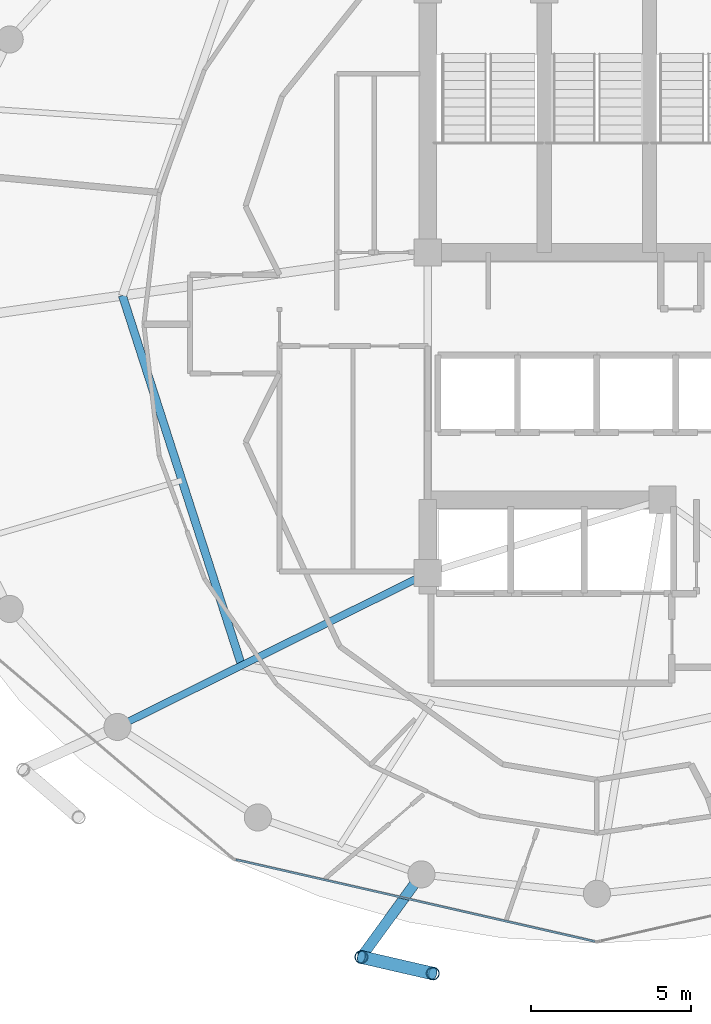
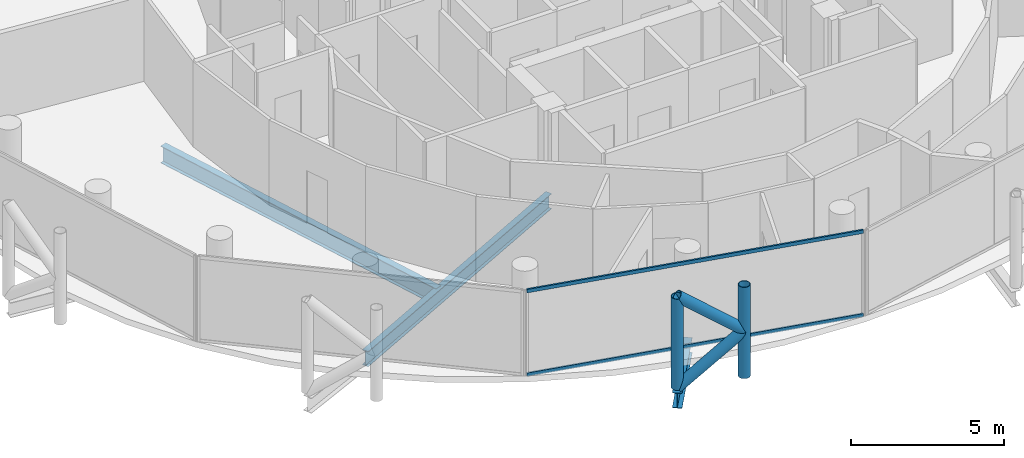
# One storey, part 4 of 27: 6 members, 3 beams, 1 element without a shape of its own.
"""IFC4 building model written with IfcOpenShell, lengths in metres."""

from ifc_helpers import new_model, si_unit, direction, frame, origin, origin_2d, place, context, subcontext, project, spatial, hollow_rectangle, hollow_circle, i_section, extrude, material, layer, layer_set, material_profile, profile_set, type_object, element, aggregate, save


model = new_model("IFC4")

# Units and contexts
model_context = context("Model", 3, precision=1e-05, world=origin(), true_north=direction((0.0, 1.0)))
body_context = subcontext(model_context, "Body", "Model", "MODEL_VIEW")
ifc_project = project(units=[si_unit("LENGTHUNIT", "METRE"), si_unit("AREAUNIT", "SQUARE_METRE"), si_unit("VOLUMEUNIT", "CUBIC_METRE"), si_unit("PLANEANGLEUNIT", "RADIAN"), si_unit("MASSUNIT", "GRAM", prefix="KILO")], contexts=[model_context])

# Site, building, storey
site_placement = place(None, origin())
site = spatial("IfcSite", under=ifc_project, at=site_placement, CompositionType="ELEMENT")
building_placement = place(site_placement, origin())
building = spatial("IfcBuilding", under=site, at=building_placement, Name="Nuhasar Tower", CompositionType="ELEMENT")
storey_placement = place(building_placement, frame((0.0, 0.0, 248.300048828125)))
storey = spatial("IfcBuildingStorey", under=building, at=storey_placement, Name="L61", CompositionType="ELEMENT", Elevation=248.300048828125)

# Beams
ifc_material_1 = material(Name="Steel S355", Category="steel")
ifc_material_profile_1 = material_profile(ifc_material_1, i_section(OverallWidth=0.25390625, OverallDepth=0.68408203125, WebThickness=0.012451171875, FlangeThickness=0.018798828125, at=origin_2d()), Name="W27X94")
ifc_profile_set_1 = profile_set([ifc_material_profile_1], Name="Steel S355")
beam_type_1 = type_object("IfcBeamType", Name="BM-INRING-W27X94", PredefinedType="BEAM", material=ifc_profile_set_1)
beam_1_placement = place(storey_placement, frame((24.1298828125, 27.699951171875, -0.58203125), z_axis=(0.306589852134, -0.951841721385, 0.0), x_axis=(0.951841721385, 0.306589852134, 0.0)))
element("IfcBeam", 1, at=beam_1_placement, inside=storey, type_object=beam_type_1, Name="L61 Inner Header Beam 08", PredefinedType="BEAM", context=body_context, shape_type="SweptSolid", body=[
    extrude(i_section(OverallWidth=0.25390625, OverallDepth=0.68408203125, WebThickness=0.012451171875, FlangeThickness=0.018798828125, at=origin_2d()), origin(), (0.0, 0.0, 1.0), 12.179443359375),
])
ifc_material_profile_2 = material_profile(ifc_material_1, i_section(OverallWidth=0.22900390625, OverallDepth=0.612060546875, WebThickness=0.011962890625, FlangeThickness=0.01953125, at=origin_2d()), Name="W24X84")
ifc_profile_set_2 = profile_set([ifc_material_profile_2], Name="Steel S355")
beam_type_2 = type_object("IfcBeamType", Name="BM-RAD-W24X84", PredefinedType="BEAM", material=ifc_profile_set_2)
beam_2_placement = place(storey_placement, frame((33.699951171875, 19.0, -0.546142578125), z_axis=(-0.895928935233, -0.444197414459, 0.0), x_axis=(0.444197414459, -0.895928935233, 0.0)))
element("IfcBeam", 2, at=beam_2_placement, inside=storey, type_object=beam_type_2, Name="L61 Radial Floor Girder 01", PredefinedType="BEAM", context=body_context, shape_type="SweptSolid", body=[
    extrude(i_section(OverallWidth=0.22900390625, OverallDepth=0.612060546875, WebThickness=0.011962890625, FlangeThickness=0.01953125, at=origin_2d()), origin(), (0.0, 0.0, 1.0), 10.85546875),
])
ifc_material_profile_3 = material_profile(ifc_material_1, i_section(OverallWidth=0.323974609375, OverallDepth=0.611083984375, WebThickness=0.0126953125, FlangeThickness=0.01904296875, at=origin_2d()), Name="W24X104")
ifc_profile_set_3 = profile_set([ifc_material_profile_3], Name="Steel S355")
beam_type_3 = type_object("IfcBeamType", Name="BM-TIE-W24X104", PredefinedType="BEAM", material=ifc_profile_set_3)
beam_3_placement = place(storey_placement, frame((33.5, 9.55810546875, -0.545166015625), z_axis=(-0.588094663461, -0.808792103577, 0.0), x_axis=(0.808792103577, -0.588094663461, 0.0)))
element("IfcBeam", 3, at=beam_3_placement, inside=storey, type_object=beam_type_3, Name="L61 Exoskeleton Node Tie Beam 09", PredefinedType="BEAM", context=body_context, shape_type="SweptSolid", body=[
    extrude(i_section(OverallWidth=0.323974609375, OverallDepth=0.611083984375, WebThickness=0.0126953125, FlangeThickness=0.01904296875, at=origin_2d()), origin(), (0.0, 0.0, 1.0), 3.20361328125),
])

# Curtain wall, members
ifc_material_2 = material(Name="Aluminium 6063-T6", Category="aluminium")
ifc_layer = layer(ifc_material_2, 0.18994140625)
ifc_layer_set = layer_set([ifc_layer], Name="Aluminium 6063-T6")
curtain_wall_type = type_object("IfcCurtainWallType", Name="CW-Z3-RES", PredefinedType="NOTDEFINED", material=ifc_layer_set)
curtain_wall_placement = place(storey_placement, origin())
curtain_wall = element("IfcCurtainWall", 4, at=curtain_wall_placement, inside=storey, type_object=curtain_wall_type, Name="L61 Unitised Curtain Wall 09", PredefinedType="NOTDEFINED")
ifc_material_profile_4 = material_profile(ifc_material_2, hollow_rectangle(XDim=0.06494140625, YDim=0.139892578125, WallThickness=0.00439453125, at=origin_2d()), Name="CWT-4")
ifc_profile_set_4 = profile_set([ifc_material_profile_4], Name="Aluminium 6063-T6")
member_type_1 = type_object("IfcMemberType", Name="CW-TRN-S4", PredefinedType="USERDEFINED", material=ifc_profile_set_4)
member_1_placement = place(storey_placement, frame((27.683349609375, 10.01953125, 0.032470703125), z_axis=(0.974989487479, -0.222250982686, 0.0), x_axis=(0.222250982686, 0.974989487479, 0.0)))
member_1 = element("IfcMember", 5, at=member_1_placement, type_object=member_type_1, Name="CW-Z3 transom 1.1", ObjectType="TRANSOM", PredefinedType="USERDEFINED", context=body_context, shape_type="SweptSolid", body=[
    extrude(hollow_rectangle(XDim=0.06494140625, YDim=0.139892578125, WallThickness=0.00439453125, at=origin_2d()), origin(), (0.0, 0.0, 1.0), 11.541748046875),
])
member_2_placement = place(storey_placement, frame((27.683349609375, 10.01953125, 3.37744140625), z_axis=(0.974989487479, -0.222250982686, 0.0), x_axis=(0.222250982686, 0.974989487479, 0.0)))
member_2 = element("IfcMember", 6, at=member_2_placement, type_object=member_type_1, Name="CW-Z3 transom 1.2", ObjectType="TRANSOM", PredefinedType="USERDEFINED", context=body_context, shape_type="SweptSolid", body=[
    extrude(hollow_rectangle(XDim=0.06494140625, YDim=0.139892578125, WallThickness=0.00439453125, at=origin_2d()), origin(), (0.0, 0.0, 1.0), 11.541748046875),
])
aggregate(curtain_wall, [member_1, member_2])

# Members
ifc_material_3 = material(Name="Steel S460", Category="steel")
ifc_material_profile_5 = material_profile(ifc_material_3, hollow_circle(Radius=0.203125, WallThickness=0.01904296875, at=origin_2d()), Name="HSS406.4X19.1")
ifc_profile_set_5 = profile_set([ifc_material_profile_5], Name="Steel S460")
member_type_2 = type_object("IfcMemberType", Name="EXO-BRONZE-406", PredefinedType="BRACE", material=ifc_profile_set_5)
for number, where, z_axis, x_axis, name in (
    (7, (31.615966796875, 6.967041015625, 0.0), (0.0, 0.0, 1.0), (1.0, 0.0, 0.0), "L61 Exoskeleton Chord Column EC-09A"),
    (8, (33.85693359375, 6.450927734375, 0.0), (0.0, 0.0, 1.0), (1.0, 0.0, 0.0), "L61 Exoskeleton Chord Column EC-09B"),
):
    element("IfcMember", number, at=place(storey_placement, frame(where, z_axis=z_axis, x_axis=x_axis)), inside=storey, type_object=member_type_2, Name=name, PredefinedType="BRACE", context=body_context, shape_type="SweptSolid", body=[
        extrude(hollow_circle(Radius=0.203125, WallThickness=0.01904296875, at=origin_2d()), origin(), (0.0, 0.0, 1.0), 3.64990234375),
    ])
for number, where, z_axis, x_axis, name in (
    (9, (31.615966796875, 6.967041015625, 0.0), (0.76333158458, -0.175801609086, 0.621625841021), (0.224433035437, 0.97448951385, 0.0), "L61 Bronze Diagrid Brace W1-09"),
    (10, (33.85693359375, 6.450927734375, 1.824951171875), (-0.76333158458, 0.175801609086, 0.621625841021), (-0.224433035437, -0.97448951385, 0.0), "L61 Bronze Diagrid Brace W2-09"),
):
    element("IfcMember", number, at=place(storey_placement, frame(where, z_axis=z_axis, x_axis=x_axis)), inside=storey, type_object=member_type_2, Name=name, PredefinedType="BRACE", context=body_context, shape_type="SweptSolid", body=[
        extrude(hollow_circle(Radius=0.203125, WallThickness=0.01904296875, at=origin_2d()), origin(), (0.0, 0.0, 1.0), 2.935791015625),
    ])

save(model, "model.ifc")
